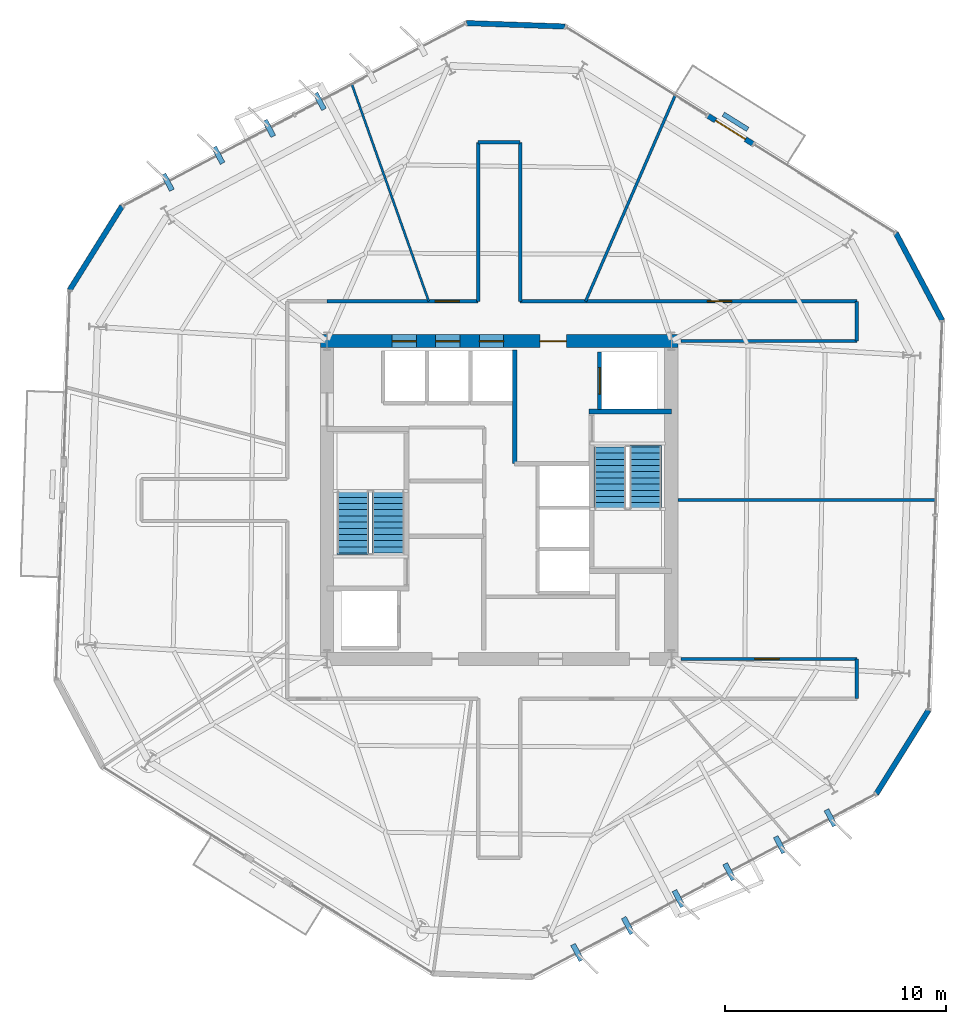
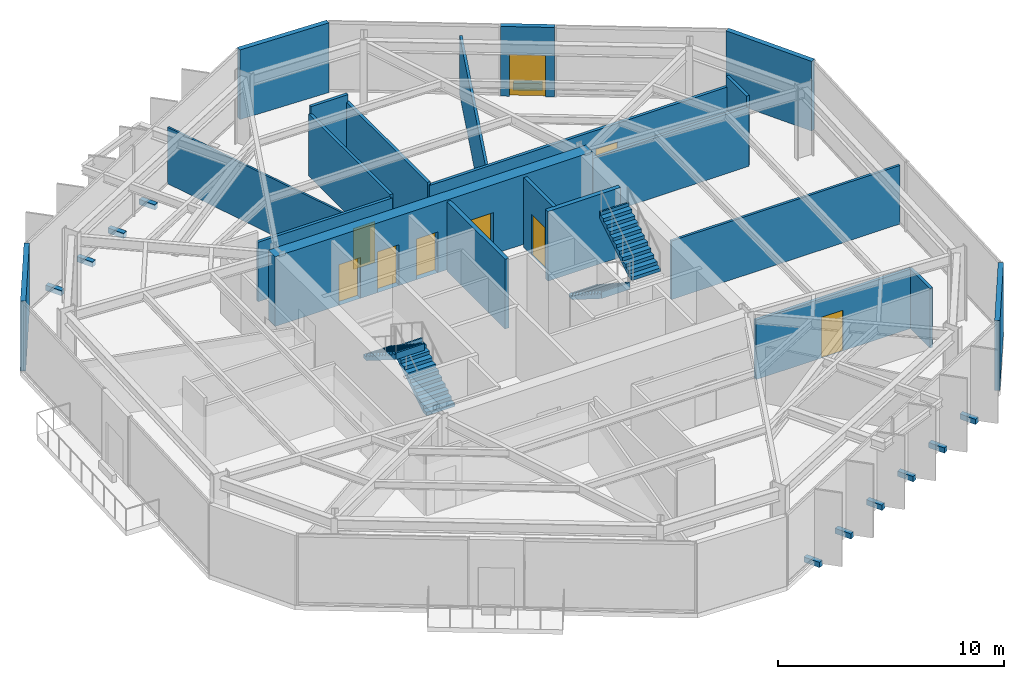
# One storey, part 8 of 12: 22 walls, 10 discrete accessories, 9 doors, 4 stair flights, 9 openings, 2 elements without a shape of their own.
"""IFC4 building model written with IfcOpenShell, lengths in metres."""

from ifc_helpers import new_model, si_unit, direction, frame, frame_2d, origin, origin_2d, place, context, subcontext, project, spatial, polyline, rectangle, outline, extrude, material, layer, layer_set, type_object, element, fill, aggregate, save


model = new_model("IFC4")

# Units and contexts
model_context = context("Model", 3, precision=1e-05, world=origin(), true_north=direction((0.0, 1.0)))
body_context = subcontext(model_context, "Body", "Model", "MODEL_VIEW")
ifc_project = project(units=[si_unit("LENGTHUNIT", "METRE"), si_unit("AREAUNIT", "SQUARE_METRE"), si_unit("VOLUMEUNIT", "CUBIC_METRE"), si_unit("PLANEANGLEUNIT", "RADIAN"), si_unit("MASSUNIT", "GRAM", prefix="KILO")], contexts=[model_context])

# Site, building, storey
site_placement = place(None, origin())
site = spatial("IfcSite", under=ifc_project, at=site_placement, CompositionType="ELEMENT")
building_placement = place(site_placement, origin())
building = spatial("IfcBuilding", under=site, at=building_placement, Name="Kranzbogen Civic Tower", CompositionType="ELEMENT")
storey_placement = place(building_placement, frame((0.0, 0.0, 134.39990234375)))
storey = spatial("IfcBuildingStorey", under=building, at=storey_placement, Name="L32", CompositionType="ELEMENT", Elevation=134.39990234375)

# Wall, opening, door
ifc_material_1 = material(Name="Double-Stud Acoustic Gypsum Partition")
ifc_layer_1 = layer(ifc_material_1, 0.14990234375, Name="Double-Stud Acoustic Gypsum Partition")
ifc_layer_set_1 = layer_set([ifc_layer_1], Name="Double-Stud Acoustic Gypsum Partition")
wall_type_1 = type_object("IfcWallType", Name="Acoustic Corridor and Clinical Partition 150 mm", PredefinedType="PARTITIONING", material=ifc_layer_set_1)
wall_1_placement = place(storey_placement, frame((17.199951171875, 34.0, 0.0), z_axis=(0.0, 0.0, 1.0), x_axis=(1.0, 0.0, 0.0)))
wall_1 = element("IfcWall", 1, at=wall_1_placement, inside=storey, type_object=wall_type_1, Name="L32 corridor partition 10", PredefinedType="PARTITIONING", context=body_context, shape_type="SweptSolid", body=[
    extrude(rectangle(XDim=6.85009765625, YDim=0.14990234375, at=frame_2d((3.425048828125, 0.0))), origin(), (0.0, 0.0, 1.0), 3.210205078125),
])
opening_1_placement = place(wall_1_placement, frame((4.89990234375, 0.0, 0.0)))
opening_1 = element("IfcOpeningElement", 2, at=opening_1_placement, cuts=wall_1, Name="Opening D-COR60", PredefinedType="OPENING", context=body_context, shape_type="SweptSolid", body=[
    extrude(rectangle(XDim=1.10009765625, YDim=2.199951171875, at=frame_2d((0.550048828125, 1.10009765625))), frame((0.0, 0.0849609375, 0.0), z_axis=(0.0, -1.0, 0.0), x_axis=(1.0, 0.0, 0.0)), (0.0, 0.0, 1.0), 0.169921875),
])
ifc_material_2 = material(Name="Oak Timber and Fire Core", Category="wood")
door_type_1 = type_object("IfcDoorType", Name="Corridor Acoustic Fire Door 1100x2200", OperationType="NOTDEFINED", PredefinedType="DOOR", material=ifc_material_2)
door_1_placement = place(opening_1_placement, origin())
door_1 = element("IfcDoor", 3, at=door_1_placement, inside=storey, type_object=door_type_1, Name="L32 Protocol Entrance Reception door", OperationType="SINGLE_SWING_RIGHT", OverallHeight=2.199951171875, OverallWidth=1.10009765625, PredefinedType="DOOR", context=body_context, shape_type="SweptSolid", body=[
    extrude(rectangle(XDim=1.10009765625, YDim=2.199951171875, at=frame_2d((0.550048828125, 1.10009765625))), frame((0.0, 0.02490234375, 0.0), z_axis=(0.0, -1.0, 0.0), x_axis=(1.0, 0.0, 0.0)), (0.0, 0.0, 1.0), 0.050048828125),
])
fill(opening_1, door_1)

# Walls
wall_2_placement = place(storey_placement, frame((24.050048828125, 34.0, 0.0), z_axis=(0.0, 0.0, 1.0), x_axis=(0.0, 1.0, 0.0)))
element("IfcWall", 4, at=wall_2_placement, inside=storey, type_object=wall_type_1, Name="L32 corridor partition 11", PredefinedType="PARTITIONING", context=body_context, shape_type="SweptSolid", body=[
    extrude(rectangle(XDim=7.199951171875, YDim=0.14990234375, at=frame_2d((3.60009765625, 0.0))), origin(), (0.0, 0.0, 1.0), 3.360107421875),
])
wall_3_placement = place(storey_placement, frame((24.050048828125, 41.199951171875, 0.0), z_axis=(0.0, 0.0, 1.0), x_axis=(1.0, 0.0, 0.0)))
element("IfcWall", 5, at=wall_3_placement, inside=storey, type_object=wall_type_1, Name="L32 corridor partition 12", PredefinedType="PARTITIONING", context=body_context, shape_type="SweptSolid", body=[
    extrude(rectangle(XDim=1.89990234375, YDim=0.14990234375, at=frame_2d((0.949951171875, 0.0))), origin(), (0.0, 0.0, 1.0), 3.760009765625),
])
wall_4_placement = place(storey_placement, frame((25.949951171875, 41.199951171875, 0.0), z_axis=(0.0, 0.0, 1.0), x_axis=(0.0, -1.0, 0.0)))
element("IfcWall", 6, at=wall_4_placement, inside=storey, type_object=wall_type_1, Name="L32 corridor partition 13", PredefinedType="PARTITIONING", context=body_context, shape_type="SweptSolid", body=[
    extrude(rectangle(XDim=7.199951171875, YDim=0.14990234375, at=frame_2d((3.60009765625, 0.0))), origin(), (0.0, 0.0, 1.0), 3.360107421875),
])

# Wall, opening, door
wall_5_placement = place(storey_placement, frame((25.949951171875, 34.0, 0.0), z_axis=(0.0, 0.0, 1.0), x_axis=(1.0, 0.0, 0.0)))
wall_5 = element("IfcWall", 7, at=wall_5_placement, inside=storey, type_object=wall_type_1, Name="L32 corridor partition 14", PredefinedType="PARTITIONING", context=body_context, shape_type="SweptSolid", body=[
    extrude(rectangle(XDim=15.25, YDim=0.14990234375, at=frame_2d((7.625, 0.0))), origin(), (0.0, 0.0, 1.0), 3.210205078125),
])
opening_2_placement = place(wall_5_placement, frame((8.47998046875, 0.0, 0.0)))
opening_2 = element("IfcOpeningElement", 8, at=opening_2_placement, cuts=wall_5, Name="Opening D-COR60", PredefinedType="OPENING", context=body_context, shape_type="SweptSolid", body=[
    extrude(rectangle(XDim=1.10009765625, YDim=2.199951171875, at=frame_2d((0.550048828125, 1.10009765625))), frame((0.0, 0.0849609375, 0.0), z_axis=(0.0, -1.0, 0.0), x_axis=(1.0, 0.0, 0.0)), (0.0, 0.0, 1.0), 0.169921875),
])
door_2_placement = place(opening_2_placement, origin())
door_2 = element("IfcDoor", 9, at=door_2_placement, inside=storey, type_object=door_type_1, Name="L32 Public Delegation Reception door", OperationType="SINGLE_SWING_RIGHT", OverallHeight=2.199951171875, OverallWidth=1.10009765625, PredefinedType="DOOR", context=body_context, shape_type="SweptSolid", body=[
    extrude(rectangle(XDim=1.10009765625, YDim=2.199951171875, at=frame_2d((0.550048828125, 1.10009765625))), frame((0.0, 0.02490234375, 0.0), z_axis=(0.0, -1.0, 0.0), x_axis=(1.0, 0.0, 0.0)), (0.0, 0.0, 1.0), 0.050048828125),
])
fill(opening_2, door_2)

# Walls
wall_6_placement = place(storey_placement, frame((41.199951171875, 34.0, 0.0), z_axis=(0.0, 0.0, 1.0), x_axis=(0.0, -1.0, 0.0)))
element("IfcWall", 10, at=wall_6_placement, inside=storey, type_object=wall_type_1, Name="L32 corridor partition 15", PredefinedType="PARTITIONING", context=body_context, shape_type="SweptSolid", body=[
    extrude(rectangle(XDim=1.800048828125, YDim=0.14990234375, at=frame_2d((0.89990234375, 0.0))), origin(), (0.0, 0.0, 1.0), 3.760009765625),
])
wall_7_placement = place(storey_placement, frame((41.199951171875, 32.199951171875, 0.0), z_axis=(0.0, 0.0, 1.0), x_axis=(-1.0, 0.0, 0.0)))
element("IfcWall", 11, at=wall_7_placement, inside=storey, type_object=wall_type_1, Name="L32 corridor partition 16", PredefinedType="PARTITIONING", context=body_context, shape_type="SweptSolid", body=[
    extrude(rectangle(XDim=7.952880859375, YDim=0.14990234375, at=frame_2d((3.9765625, 0.0))), origin(), (0.0, 0.0, 1.0), 3.210205078125),
])

# Wall, opening, door
wall_8_placement = place(storey_placement, frame((33.2470703125, 17.800048828125, 0.0), z_axis=(0.0, 0.0, 1.0), x_axis=(1.0, 0.0, 0.0)))
wall_8 = element("IfcWall", 12, at=wall_8_placement, inside=storey, type_object=wall_type_1, Name="L32 corridor partition 17", PredefinedType="PARTITIONING", context=body_context, shape_type="SweptSolid", body=[
    extrude(rectangle(XDim=7.952880859375, YDim=0.14990234375, at=frame_2d((3.9765625, 0.0))), origin(), (0.0, 0.0, 1.0), 3.210205078125),
])
opening_3_placement = place(wall_8_placement, frame((3.337890625, 0.0, 0.0)))
opening_3 = element("IfcOpeningElement", 13, at=opening_3_placement, cuts=wall_8, Name="Opening D-COR60", PredefinedType="OPENING", context=body_context, shape_type="SweptSolid", body=[
    extrude(rectangle(XDim=1.10009765625, YDim=2.199951171875, at=frame_2d((0.550048828125, 1.10009765625))), frame((0.0, 0.0849609375, 0.0), z_axis=(0.0, -1.0, 0.0), x_axis=(1.0, 0.0, 0.0)), (0.0, 0.0, 1.0), 0.169921875),
])
door_3_placement = place(opening_3_placement, origin())
door_3 = element("IfcDoor", 14, at=door_3_placement, inside=storey, type_object=door_type_1, Name="L32 Visitor Concierge Foyer door", OperationType="SINGLE_SWING_LEFT", OverallHeight=2.199951171875, OverallWidth=1.10009765625, PredefinedType="DOOR", context=body_context, shape_type="SweptSolid", body=[
    extrude(rectangle(XDim=1.10009765625, YDim=2.199951171875, at=frame_2d((0.550048828125, 1.10009765625))), frame((0.0, 0.02490234375, 0.0), z_axis=(0.0, -1.0, 0.0), x_axis=(1.0, 0.0, 0.0)), (0.0, 0.0, 1.0), 0.050048828125),
])
fill(opening_3, door_3)

# Walls
wall_9_placement = place(storey_placement, frame((41.199951171875, 17.800048828125, 0.0), z_axis=(0.0, 0.0, 1.0), x_axis=(0.0, -1.0, 0.0)))
element("IfcWall", 15, at=wall_9_placement, inside=storey, type_object=wall_type_1, Name="L32 corridor partition 18", PredefinedType="PARTITIONING", context=body_context, shape_type="SweptSolid", body=[
    extrude(rectangle(XDim=1.800048828125, YDim=0.14990234375, at=frame_2d((0.89990234375, 0.0))), origin(), (0.0, 0.0, 1.0), 3.210205078125),
])
ifc_material_3 = material(Name="Insulated Metal-Stud Gypsum Partition")
ifc_layer_2 = layer(ifc_material_3, 0.125, Name="Insulated Metal-Stud Gypsum Partition")
ifc_layer_set_2 = layer_set([ifc_layer_2], Name="Insulated Metal-Stud Gypsum Partition")
wall_type_2 = type_object("IfcWallType", Name="Acoustic Inter-Room Partition 125 mm", PredefinedType="PARTITIONING", material=ifc_layer_set_2)
wall_10_placement = place(storey_placement, frame((28.916015625, 34.0, 0.0), z_axis=(0.0, 0.0, 1.0), x_axis=(0.398858798929, 0.917012354615, 0.0)))
element("IfcWall", 16, at=wall_10_placement, inside=storey, type_object=wall_type_2, Name="L32 radial room partition 01", PredefinedType="PARTITIONING", context=body_context, shape_type="SweptSolid", body=[
    extrude(rectangle(XDim=10.158935546875, YDim=0.125, at=frame_2d((5.07958984375, 0.0))), origin(), (0.0, 0.0, 1.0), 3.16015625),
])
wall_11_placement = place(storey_placement, frame((33.10009765625, 25.0, 0.0), z_axis=(0.0, 0.0, 1.0), x_axis=(1.0, 0.0, 0.0)))
element("IfcWall", 17, at=wall_11_placement, inside=storey, type_object=wall_type_2, Name="L32 radial room partition 07", PredefinedType="PARTITIONING", context=body_context, shape_type="SweptSolid", body=[
    extrude(rectangle(XDim=11.6669921875, YDim=0.125, at=frame_2d((5.83349609375, 0.0))), origin(), (0.0, 0.0, 1.0), 3.16015625),
])
ifc_material_4 = material(Name="Architectural Precast Terracotta Concrete C40/50", Category="masonry")
ifc_layer_3 = layer(ifc_material_4, 0.219970703125, Name="Architectural Precast Terracotta Concrete C40/50")
ifc_layer_set_3 = layer_set([ifc_layer_3], Name="Architectural Precast Terracotta Concrete C40/50")
wall_type_3 = type_object("IfcWallType", Name="Architectural Tree Planter Kerb Wall 220 mm", PredefinedType="USERDEFINED", material=ifc_layer_set_3)
wall_12_placement = place(storey_placement, frame((36.258056640625, 41.7900390625, 0.0), z_axis=(0.0, 0.0, 1.0), x_axis=(-0.848272680747, 0.52955968417, 0.0)))
element("IfcWall", 18, at=wall_12_placement, inside=storey, type_object=wall_type_3, Name="L32 landscaped tree balcony planter L32-TB1", ObjectType="PLANTER_WALL", PredefinedType="USERDEFINED", context=body_context, shape_type="SweptSolid", body=[
    extrude(rectangle(XDim=1.299072265625, YDim=0.219970703125, at=frame_2d((0.6494140625, 0.0))), origin(), (0.0, 0.0, 1.0), 0.400146484375),
])

# Wall, openings, doors
ifc_material_5 = material(Name="Concrete C55/67", Category="concrete")
ifc_layer_4 = layer(ifc_material_5, 0.60009765625, Name="Concrete C55/67")
ifc_layer_set_4 = layer_set([ifc_layer_4], Name="Concrete C55/67")
wall_type_4 = type_object("IfcWallType", Name="Central Core Shear Wall 600 mm", PredefinedType="SHEAR", material=ifc_layer_set_4)
wall_13_placement = place(storey_placement, frame((33.10009765625, 32.199951171875, 0.0), z_axis=(0.0, 0.0, 1.0), x_axis=(-1.0, 0.0, 0.0)))
wall_13 = element("IfcWall", 19, at=wall_13_placement, inside=storey, type_object=wall_type_4, Name="L32 central core North shear wall", PredefinedType="SHEAR", context=body_context, shape_type="SweptSolid", body=[
    extrude(rectangle(XDim=16.2001953125, YDim=0.60009765625, at=frame_2d((8.10009765625, 0.0))), origin(), (0.0, 0.0, 1.0), 3.760009765625),
])
opening_4_placement = place(wall_13_placement, frame((5.050048828125, 0.0, 0.0)))
opening_4 = element("IfcOpeningElement", 20, at=opening_4_placement, cuts=wall_13, Name="Opening D-EX120", PredefinedType="OPENING", context=body_context, shape_type="SweptSolid", body=[
    extrude(rectangle(XDim=1.199951171875, YDim=2.25, at=frame_2d((0.60009765625, 1.125))), frame((0.0, 0.31005859375, 0.0), z_axis=(0.0, -1.0, 0.0), x_axis=(1.0, 0.0, 0.0)), (0.0, 0.0, 1.0), 0.6201171875),
])
opening_5_placement = place(wall_13_placement, frame((11.85009765625, 0.0, 0.0)))
opening_5 = element("IfcOpeningElement", 21, at=opening_5_placement, cuts=wall_13, Name="Opening LD-MP-01", PredefinedType="OPENING", context=body_context, shape_type="SweptSolid", body=[
    extrude(rectangle(XDim=1.10009765625, YDim=2.199951171875, at=frame_2d((0.550048828125, 1.10009765625))), frame((0.0, 0.31005859375, 0.0), z_axis=(0.0, -1.0, 0.0), x_axis=(1.0, 0.0, 0.0)), (0.0, 0.0, 1.0), 0.6201171875),
])
opening_6_placement = place(wall_13_placement, frame((9.875, 0.0, 0.0)))
opening_6 = element("IfcOpeningElement", 22, at=opening_6_placement, cuts=wall_13, Name="Opening LD-MP-02", PredefinedType="OPENING", context=body_context, shape_type="SweptSolid", body=[
    extrude(rectangle(XDim=1.10009765625, YDim=2.199951171875, at=frame_2d((0.550048828125, 1.10009765625))), frame((0.0, 0.31005859375, 0.0), z_axis=(0.0, -1.0, 0.0), x_axis=(1.0, 0.0, 0.0)), (0.0, 0.0, 1.0), 0.6201171875),
])
opening_7_placement = place(wall_13_placement, frame((7.89990234375, 0.0, 0.0)))
opening_7 = element("IfcOpeningElement", 23, at=opening_7_placement, cuts=wall_13, Name="Opening LD-MP-03", PredefinedType="OPENING", context=body_context, shape_type="SweptSolid", body=[
    extrude(rectangle(XDim=1.10009765625, YDim=2.199951171875, at=frame_2d((0.550048828125, 1.10009765625))), frame((0.0, 0.31005859375, 0.0), z_axis=(0.0, -1.0, 0.0), x_axis=(1.0, 0.0, 0.0)), (0.0, 0.0, 1.0), 0.6201171875),
])
ifc_material_6 = material(Name="Steel S355", Category="steel")
door_type_2 = type_object("IfcDoorType", Name="Exit Passageway Fire Door 1200x2250", OperationType="NOTDEFINED", PredefinedType="DOOR", material=ifc_material_6)
door_4_placement = place(opening_4_placement, origin())
door_4 = element("IfcDoor", 24, at=door_4_placement, inside=storey, type_object=door_type_2, Name="L32 East firefighting lobby corridor door", OperationType="SINGLE_SWING_RIGHT", OverallHeight=2.25, OverallWidth=1.199951171875, PredefinedType="DOOR", context=body_context, shape_type="SweptSolid", body=[
    extrude(rectangle(XDim=1.199951171875, YDim=2.25, at=frame_2d((0.60009765625, 1.125))), frame((0.0, 0.02490234375, 0.0), z_axis=(0.0, -1.0, 0.0), x_axis=(1.0, 0.0, 0.0)), (0.0, 0.0, 1.0), 0.050048828125),
])
fill(opening_4, door_4)
ifc_material_7 = material(Name="Pale Anodised Aluminium", Category="aluminium")
door_type_3 = type_object("IfcDoorType", Name="Passenger Lift Sliding Landing Door 1100x2200", OperationType="DOUBLE_DOOR_SLIDING", PredefinedType="DOOR", material=ifc_material_7)
door_5_placement = place(opening_5_placement, origin())
door_5 = element("IfcDoor", 25, at=door_5_placement, inside=storey, type_object=door_type_3, Name="L32 lift MP-01 sliding landing door", OperationType="DOUBLE_DOOR_SLIDING", OverallHeight=2.199951171875, OverallWidth=1.10009765625, PredefinedType="DOOR", context=body_context, shape_type="SweptSolid", body=[
    extrude(rectangle(XDim=1.10009765625, YDim=2.199951171875, at=frame_2d((0.550048828125, 1.10009765625))), frame((0.0, 0.02490234375, 0.0), z_axis=(0.0, -1.0, 0.0), x_axis=(1.0, 0.0, 0.0)), (0.0, 0.0, 1.0), 0.050048828125),
])
fill(opening_5, door_5)
door_6_placement = place(opening_6_placement, origin())
door_6 = element("IfcDoor", 26, at=door_6_placement, inside=storey, type_object=door_type_3, Name="L32 lift MP-02 sliding landing door", OperationType="DOUBLE_DOOR_SLIDING", OverallHeight=2.199951171875, OverallWidth=1.10009765625, PredefinedType="DOOR", context=body_context, shape_type="SweptSolid", body=[
    extrude(rectangle(XDim=1.10009765625, YDim=2.199951171875, at=frame_2d((0.550048828125, 1.10009765625))), frame((0.0, 0.02490234375, 0.0), z_axis=(0.0, -1.0, 0.0), x_axis=(1.0, 0.0, 0.0)), (0.0, 0.0, 1.0), 0.050048828125),
])
fill(opening_6, door_6)
door_7_placement = place(opening_7_placement, origin())
door_7 = element("IfcDoor", 27, at=door_7_placement, inside=storey, type_object=door_type_3, Name="L32 lift MP-03 sliding landing door", OperationType="DOUBLE_DOOR_SLIDING", OverallHeight=2.199951171875, OverallWidth=1.10009765625, PredefinedType="DOOR", context=body_context, shape_type="SweptSolid", body=[
    extrude(rectangle(XDim=1.10009765625, YDim=2.199951171875, at=frame_2d((0.550048828125, 1.10009765625))), frame((0.0, 0.02490234375, 0.0), z_axis=(0.0, -1.0, 0.0), x_axis=(1.0, 0.0, 0.0)), (0.0, 0.0, 1.0), 0.050048828125),
])
fill(opening_7, door_7)

# Walls
ifc_material_8 = material(Name="Concrete C45/55", Category="concrete")
ifc_layer_5 = layer(ifc_material_8, 0.219970703125, Name="Concrete C45/55")
ifc_layer_set_5 = layer_set([ifc_layer_5], Name="Concrete C45/55")
wall_type_5 = type_object("IfcWallType", Name="Core Internal Stair Structural Wall 220 mm", PredefinedType="SOLIDWALL", material=ifc_layer_set_5)
wall_14_placement = place(storey_placement, frame((29.080078125, 29.010009765625, 0.0), z_axis=(0.0, 0.0, 1.0), x_axis=(1.0, 0.0, 0.0)))
element("IfcWall", 28, at=wall_14_placement, inside=storey, type_object=wall_type_5, Name="L32 ST-T2 North structural stair wall", PredefinedType="SOLIDWALL", context=body_context, shape_type="SweptSolid", body=[
    extrude(rectangle(XDim=3.719970703125, YDim=0.219970703125, at=frame_2d((1.85986328125, 0.0))), origin(), (0.0, 0.0, 1.0), 3.760009765625),
])
ifc_material_9 = material(Name="Demountable Aluminium and Gypsum Partition", Category="aluminium")
ifc_layer_6 = layer(ifc_material_9, 0.10009765625, Name="Demountable Aluminium and Gypsum Partition")
ifc_layer_set_6 = layer_set([ifc_layer_6], Name="Demountable Aluminium and Gypsum Partition")
wall_type_6 = type_object("IfcWallType", Name="Demountable Office Partition 100 mm", PredefinedType="MOVABLE", material=ifc_layer_set_6)
wall_15_placement = place(storey_placement, frame((21.81103515625, 34.0, 0.0), z_axis=(0.0, 0.0, 1.0), x_axis=(-0.333981087617, 0.942579775464, 0.0)))
element("IfcWall", 29, at=wall_15_placement, inside=storey, type_object=wall_type_6, Name="L32 radial room partition 02", PredefinedType="MOVABLE", context=body_context, shape_type="SweptSolid", body=[
    extrude(rectangle(XDim=10.425537109375, YDim=0.10009765625, at=frame_2d((5.212890625, 0.0))), origin(), (0.0, 0.0, 1.0), 3.050048828125),
])
ifc_material_10 = material(Name="Gypsum Fireboard and Concrete Block", Category="concrete")
ifc_layer_7 = layer(ifc_material_10, 0.199951171875, Name="Gypsum Fireboard and Concrete Block")
ifc_layer_set_7 = layer_set([ifc_layer_7], Name="Gypsum Fireboard and Concrete Block")
wall_type_7 = type_object("IfcWallType", Name="Fire-Rated Exit Passageway and Stair Wall 200 mm", PredefinedType="PARTITIONING", material=ifc_layer_set_7)
wall_16_placement = place(storey_placement, frame((25.699951171875, 26.64990234375, 0.0), z_axis=(0.0, 0.0, 1.0), x_axis=(0.0, 1.0, 0.0)))
element("IfcWall", 30, at=wall_16_placement, inside=storey, type_object=wall_type_7, Name="L32 East firefighting lobby West wall", PredefinedType="PARTITIONING", context=body_context, shape_type="SweptSolid", body=[
    extrude(rectangle(XDim=5.150146484375, YDim=0.199951171875, at=frame_2d((2.5751953125, 0.0))), origin(), (0.0, 0.0, 1.0), 3.760009765625),
])

# Wall, opening, door
ifc_material_11 = material(Name="Gypsum Fireboard Shaftliner")
ifc_layer_8 = layer(ifc_material_11, 0.175048828125, Name="Gypsum Fireboard Shaftliner")
ifc_layer_set_8 = layer_set([ifc_layer_8], Name="Gypsum Fireboard Shaftliner")
wall_type_8 = type_object("IfcWallType", Name="Fire-Rated Lift and Service Shaft Wall 175 mm", PredefinedType="PARTITIONING", material=ifc_layer_set_8)
wall_17_placement = place(storey_placement, frame((29.550048828125, 29.10009765625, 0.0), z_axis=(0.0, 0.0, 1.0), x_axis=(0.0, 1.0, 0.0)))
wall_17 = element("IfcWall", 31, at=wall_17_placement, inside=storey, type_object=wall_type_8, Name="L32 lift FF-02 landing wall", PredefinedType="PARTITIONING", context=body_context, shape_type="SweptSolid", body=[
    extrude(rectangle(XDim=2.599853515625, YDim=0.175048828125, at=frame_2d((1.2998046875, 0.0))), origin(), (0.0, 0.0, 1.0), 3.760009765625),
])
opening_8_placement = place(wall_17_placement, frame((0.699951171875, 0.0, 0.0)))
opening_8 = element("IfcOpeningElement", 32, at=opening_8_placement, cuts=wall_17, Name="Opening LD-FF-02", PredefinedType="OPENING", context=body_context, shape_type="SweptSolid", body=[
    extrude(rectangle(XDim=1.199951171875, YDim=2.199951171875, at=frame_2d((0.60009765625, 1.10009765625))), frame((0.0, 0.09765625, 0.0), z_axis=(0.0, -1.0, 0.0), x_axis=(1.0, 0.0, 0.0)), (0.0, 0.0, 1.0), 0.195068359375),
])
door_type_4 = type_object("IfcDoorType", Name="Firefighting and Stretcher Lift Sliding Landing Door 1200x2200", OperationType="DOUBLE_DOOR_SLIDING", PredefinedType="DOOR", material=ifc_material_7)
door_8_placement = place(opening_8_placement, origin())
door_8 = element("IfcDoor", 33, at=door_8_placement, inside=storey, type_object=door_type_4, Name="L32 lift FF-02 sliding landing door", OperationType="DOUBLE_DOOR_SLIDING", OverallHeight=2.199951171875, OverallWidth=1.199951171875, PredefinedType="DOOR", context=body_context, shape_type="SweptSolid", body=[
    extrude(rectangle(XDim=1.199951171875, YDim=2.199951171875, at=frame_2d((0.60009765625, 1.10009765625))), frame((0.0, 0.02490234375, 0.0), z_axis=(0.0, -1.0, 0.0), x_axis=(1.0, 0.0, 0.0)), (0.0, 0.0, 1.0), 0.050048828125),
])
fill(opening_8, door_8)

ifc_layer_9 = layer(ifc_material_7, 0.239990234375, Name="Pale Anodised Aluminium")
ifc_layer_set_9 = layer_set([ifc_layer_9], Name="Pale Anodised Aluminium")
wall_type_9 = type_object("IfcWallType", Name="Insulated Aluminium Facade Portal Wall 240 mm", PredefinedType="STANDARD", material=ifc_layer_set_9)
wall_18_placement = place(storey_placement, frame((36.49609375, 41.132080078125, 0.0), z_axis=(0.0, 0.0, 1.0), x_axis=(-0.847998304005, 0.529998940003, 0.0)))
wall_18 = element("IfcWall", 34, at=wall_18_placement, inside=storey, type_object=wall_type_9, Name="L32 exterior entrance portal wall 1", PredefinedType="STANDARD", context=body_context, shape_type="SweptSolid", body=[
    extrude(rectangle(XDim=2.39990234375, YDim=0.239990234375, at=frame_2d((1.199951171875, 0.0))), origin(), (0.0, 0.0, 1.0), 3.760009765625),
])
opening_9_placement = place(wall_18_placement, frame((0.39990234375, 0.0, 0.0)))
opening_9 = element("IfcOpeningElement", 35, at=opening_9_placement, cuts=wall_18, Name="Opening D-TER", PredefinedType="OPENING", context=body_context, shape_type="SweptSolid", body=[
    extrude(rectangle(XDim=1.60009765625, YDim=2.25, at=frame_2d((0.800048828125, 1.125))), frame((0.0, 0.1298828125, 0.0), z_axis=(0.0, -1.0, 0.0), x_axis=(1.0, 0.0, 0.0)), (0.0, 0.0, 1.0), 0.260009765625),
])
ifc_material_12 = material(Name="Anodised Bronze and Triple Glass", Category="glass")
door_type_5 = type_object("IfcDoorType", Name="Glazed Terrace and Balcony Double Door 1600x2250", OperationType="DOUBLE_DOOR_SINGLE_SWING", PredefinedType="DOOR", material=ifc_material_12)
door_9_placement = place(opening_9_placement, frame((1.60009765625, 0.0, 0.0), z_axis=(0.0, 0.0, 1.0), x_axis=(-1.0, 0.0, 0.0)))
door_9 = element("IfcDoor", 36, at=door_9_placement, inside=storey, type_object=door_type_5, Name="L32 tree balcony access door L32-TB1", OperationType="DOUBLE_DOOR_SINGLE_SWING", OverallHeight=2.25, OverallWidth=1.60009765625, PredefinedType="DOOR", context=body_context, shape_type="SweptSolid", body=[
    extrude(rectangle(XDim=1.60009765625, YDim=2.25, at=frame_2d((0.800048828125, 1.125))), frame((0.0, 0.02490234375, 0.0), z_axis=(0.0, -1.0, 0.0), x_axis=(1.0, 0.0, 0.0)), (0.0, 0.0, 1.0), 0.050048828125),
])
fill(opening_9, door_9)

# Walls
wall_19_placement = place(storey_placement, frame((27.986083984375, 46.448974609375, 0.0), z_axis=(0.0, 0.0, 1.0), x_axis=(-0.999390988908, 0.034894860495, 0.0)))
element("IfcWall", 37, at=wall_19_placement, inside=storey, type_object=wall_type_9, Name="L32 chamfered corner facade spandrel 1", PredefinedType="STANDARD", context=body_context, shape_type="SweptSolid", body=[
    extrude(rectangle(XDim=4.470703125, YDim=0.239990234375, at=frame_2d((2.2353515625, 0.0))), origin(), (0.0, 0.0, 1.0), 3.760009765625),
])
for number, where, z_axis, x_axis, name in (
    (38, (7.9169921875, 38.31005859375, 0.0), (0.0, 0.0, 1.0), (-0.529822232534, -0.848108720573, 0.0), "L32 chamfered corner facade spandrel 2"),
    (39, (42.0830078125, 11.68994140625, 0.0), (0.0, 0.0, 1.0), (0.529822232534, 0.848108720573, 0.0), "L32 chamfered corner facade spandrel 5"),
):
    element("IfcWall", number, at=place(storey_placement, frame(where, z_axis=z_axis, x_axis=x_axis)), inside=storey, type_object=wall_type_9, Name=name, PredefinedType="STANDARD", context=body_context, shape_type="SweptSolid", body=[
        extrude(rectangle(XDim=4.47119140625, YDim=0.239990234375, at=frame_2d((2.235595703125, 0.0))), origin(), (0.0, 0.0, 1.0), 3.760009765625),
    ])
wall_20_placement = place(storey_placement, frame((45.068115234375, 33.137939453125, 0.0), z_axis=(0.0, 0.0, 1.0), x_axis=(-0.46919913514, 0.883092391307, 0.0)))
element("IfcWall", 40, at=wall_20_placement, inside=storey, type_object=wall_type_9, Name="L32 chamfered corner facade spandrel 6", PredefinedType="STANDARD", context=body_context, shape_type="SweptSolid", body=[
    extrude(rectangle(XDim=4.4716796875, YDim=0.239990234375, at=frame_2d((2.23583984375, 0.0))), origin(), (0.0, 0.0, 1.0), 3.760009765625),
])

# Stair, stair flights
ifc_material_13 = material(Name="Precast concrete C40/50", Category="concrete")
stair_type_1 = type_object("IfcStairType", Name="Tower Core Pressurized Dogleg Stair 1450", PredefinedType="HALF_TURN_STAIR", material=ifc_material_13)
stair_1_placement = place(storey_placement, origin())
stair_1 = element("IfcStair", 41, at=stair_1_placement, inside=storey, type_object=stair_type_1, Name="L32 Tower Core Pressurized Stair 1", PredefinedType="HALF_TURN_STAIR")
stair_flight_type = type_object("IfcStairFlightType", Name="Precast Concrete Stair Flight R180", PredefinedType="STRAIGHT", material=ifc_material_13)
stair_flight_1_placement = place(storey_placement, frame((19.97509765625, 22.60009765625, 0.0), z_axis=(0.0, 0.0, 1.0), x_axis=(0.0, 1.0, 0.0)))
stair_flight_1 = element("IfcStairFlight", 42, at=stair_flight_1_placement, type_object=stair_flight_type, Name="ST-T1 flight 1", NumberOfRisers=11, NumberOfTreads=10, PredefinedType="STRAIGHT", RiserHeight=0.181818182, TreadLength=0.28, context=body_context, shape_type="SweptSolid", body=[
    extrude(outline(polyline([(0.0, 0.0), (0.0, 0.181884765625), (0.280029296875, 0.181884765625), (0.280029296875, 0.363525390625), (0.56005859375, 0.363525390625), (0.56005859375, 0.54541015625), (0.840087890625, 0.54541015625), (0.840087890625, 0.727294921875), (1.1201171875, 0.727294921875), (1.1201171875, 0.9091796875), (1.39990234375, 0.9091796875), (1.39990234375, 1.0908203125), (1.679931640625, 1.0908203125), (1.679931640625, 1.272705078125), (1.9599609375, 1.272705078125), (1.9599609375, 1.45458984375), (2.239990234375, 1.45458984375), (2.239990234375, 1.636474609375), (2.52001953125, 1.636474609375), (2.52001953125, 1.818115234375), (2.800048828125, 1.818115234375), (2.800048828125, 2.0), (2.880126953125, 2.0), (2.880126953125, 1.639404296875), (0.275146484375, 0.0), (0.0, 0.0)])), frame((0.0, 0.72509765625, 0.0), z_axis=(0.0, -1.0, 0.0), x_axis=(1.0, 0.0, 0.0)), (0.0, 0.0, 1.0), 1.449951171875),
])
stair_flight_2_placement = place(storey_placement, frame((18.375, 25.39990234375, 2.0), z_axis=(0.0, 0.0, 1.0), x_axis=(0.0, -1.0, 0.0)))
stair_flight_2 = element("IfcStairFlight", 43, at=stair_flight_2_placement, type_object=stair_flight_type, Name="ST-T1 flight 2", NumberOfRisers=11, NumberOfTreads=10, PredefinedType="STRAIGHT", RiserHeight=0.181818182, TreadLength=0.28, context=body_context, shape_type="SweptSolid", body=[
    extrude(outline(polyline([(0.0, 0.0), (0.0, 0.181884765625), (0.280029296875, 0.181884765625), (0.280029296875, 0.363525390625), (0.56005859375, 0.363525390625), (0.56005859375, 0.54541015625), (0.840087890625, 0.54541015625), (0.840087890625, 0.727294921875), (1.1201171875, 0.727294921875), (1.1201171875, 0.9091796875), (1.39990234375, 0.9091796875), (1.39990234375, 1.0908203125), (1.679931640625, 1.0908203125), (1.679931640625, 1.272705078125), (1.9599609375, 1.272705078125), (1.9599609375, 1.45458984375), (2.239990234375, 1.45458984375), (2.239990234375, 1.636474609375), (2.52001953125, 1.636474609375), (2.52001953125, 1.818115234375), (2.800048828125, 1.818115234375), (2.800048828125, 2.0), (2.880126953125, 2.0), (2.880126953125, 1.639404296875), (0.275146484375, 0.0), (0.0, 0.0)])), frame((0.0, 0.72509765625, 0.0), z_axis=(0.0, -1.0, 0.0), x_axis=(1.0, 0.0, 0.0)), (0.0, 0.0, 1.0), 1.449951171875),
])
aggregate(stair_1, [stair_flight_1, stair_flight_2])

stair_type_2 = type_object("IfcStairType", Name="Tower Core Secondary Dogleg Stair 1450", PredefinedType="HALF_TURN_STAIR", material=ifc_material_13)
stair_2_placement = place(storey_placement, origin())
stair_2 = element("IfcStair", 44, at=stair_2_placement, inside=storey, type_object=stair_type_2, Name="L32 Tower Core Pressurized Stair 2", PredefinedType="HALF_TURN_STAIR")
stair_flight_3_placement = place(storey_placement, frame((30.02490234375, 27.39990234375, 0.0), z_axis=(0.0, 0.0, 1.0), x_axis=(0.0, -1.0, 0.0)))
stair_flight_3 = element("IfcStairFlight", 45, at=stair_flight_3_placement, type_object=stair_flight_type, Name="ST-T2 flight 1", NumberOfRisers=11, NumberOfTreads=10, PredefinedType="STRAIGHT", RiserHeight=0.181818182, TreadLength=0.28, context=body_context, shape_type="SweptSolid", body=[
    extrude(outline(polyline([(0.0, 0.0), (0.0, 0.181884765625), (0.280029296875, 0.181884765625), (0.280029296875, 0.363525390625), (0.56005859375, 0.363525390625), (0.56005859375, 0.54541015625), (0.840087890625, 0.54541015625), (0.840087890625, 0.727294921875), (1.1201171875, 0.727294921875), (1.1201171875, 0.9091796875), (1.39990234375, 0.9091796875), (1.39990234375, 1.0908203125), (1.679931640625, 1.0908203125), (1.679931640625, 1.272705078125), (1.9599609375, 1.272705078125), (1.9599609375, 1.45458984375), (2.239990234375, 1.45458984375), (2.239990234375, 1.636474609375), (2.52001953125, 1.636474609375), (2.52001953125, 1.818115234375), (2.800048828125, 1.818115234375), (2.800048828125, 2.0), (2.880126953125, 2.0), (2.880126953125, 1.639404296875), (0.275146484375, 0.0), (0.0, 0.0)])), frame((0.0, 0.72509765625, 0.0), z_axis=(0.0, -1.0, 0.0), x_axis=(1.0, 0.0, 0.0)), (0.0, 0.0, 1.0), 1.449951171875),
])
stair_flight_4_placement = place(storey_placement, frame((31.625, 24.60009765625, 2.0), z_axis=(0.0, 0.0, 1.0), x_axis=(0.0, 1.0, 0.0)))
stair_flight_4 = element("IfcStairFlight", 46, at=stair_flight_4_placement, type_object=stair_flight_type, Name="ST-T2 flight 2", NumberOfRisers=11, NumberOfTreads=10, PredefinedType="STRAIGHT", RiserHeight=0.181818182, TreadLength=0.28, context=body_context, shape_type="SweptSolid", body=[
    extrude(outline(polyline([(0.0, 0.0), (0.0, 0.181884765625), (0.280029296875, 0.181884765625), (0.280029296875, 0.363525390625), (0.56005859375, 0.363525390625), (0.56005859375, 0.54541015625), (0.840087890625, 0.54541015625), (0.840087890625, 0.727294921875), (1.1201171875, 0.727294921875), (1.1201171875, 0.9091796875), (1.39990234375, 0.9091796875), (1.39990234375, 1.0908203125), (1.679931640625, 1.0908203125), (1.679931640625, 1.272705078125), (1.9599609375, 1.272705078125), (1.9599609375, 1.45458984375), (2.239990234375, 1.45458984375), (2.239990234375, 1.636474609375), (2.52001953125, 1.636474609375), (2.52001953125, 1.818115234375), (2.800048828125, 1.818115234375), (2.800048828125, 2.0), (2.880126953125, 2.0), (2.880126953125, 1.639404296875), (0.275146484375, 0.0), (0.0, 0.0)])), frame((0.0, 0.72509765625, 0.0), z_axis=(0.0, -1.0, 0.0), x_axis=(1.0, 0.0, 0.0)), (0.0, 0.0, 1.0), 1.449951171875),
])
aggregate(stair_2, [stair_flight_3, stair_flight_4])

# Discrete accessories
discrete_accessory_type = type_object("IfcDiscreteAccessoryType", Name="Structural Curtain-Wall Fin Support Bracket", PredefinedType="BRACKET", material=ifc_material_6)
for number, where, z_axis, x_axis, name in (
    (47, (16.87109375, 43.056884765625, -0.25), (0.0, 0.0, 1.0), (-0.469471562786, 0.882947592859, 0.0), "L32 facade fin support bracket F2-3"),
    (48, (14.574951171875, 41.8369140625, -0.25), (0.0, 0.0, 1.0), (-0.469471562786, 0.882947592859, 0.0), "L32 facade fin support bracket F2-4"),
    (49, (12.280029296875, 40.615966796875, -0.25), (0.0, 0.0, 1.0), (-0.469471562786, 0.882947592859, 0.0), "L32 facade fin support bracket F2-5"),
    (50, (9.98388671875, 39.39501953125, -0.25), (0.0, 0.0, 1.0), (-0.469471562786, 0.882947592859, 0.0), "L32 facade fin support bracket F2-6"),
    (51, (28.5380859375, 4.5009765625, -0.25), (0.0, 0.0, 1.0), (0.469471562786, -0.882947592859, 0.0), "L32 facade fin support bracket F5-1"),
    (52, (30.8330078125, 5.721923828125, -0.25), (0.0, 0.0, 1.0), (0.469471562786, -0.882947592859, 0.0), "L32 facade fin support bracket F5-2"),
    (53, (33.12890625, 6.943115234375, -0.25), (0.0, 0.0, 1.0), (0.469471562786, -0.882947592859, 0.0), "L32 facade fin support bracket F5-3"),
    (54, (35.425048828125, 8.1630859375, -0.25), (0.0, 0.0, 1.0), (0.469471562786, -0.882947592859, 0.0), "L32 facade fin support bracket F5-4"),
    (55, (37.719970703125, 9.384033203125, -0.25), (0.0, 0.0, 1.0), (0.469471562786, -0.882947592859, 0.0), "L32 facade fin support bracket F5-5"),
    (56, (40.01611328125, 10.60498046875, -0.25), (0.0, 0.0, 1.0), (0.469471562786, -0.882947592859, 0.0), "L32 facade fin support bracket F5-6"),
):
    element("IfcDiscreteAccessory", number, at=place(storey_placement, frame(where, z_axis=z_axis, x_axis=x_axis)), inside=storey, type_object=discrete_accessory_type, Name=name, PredefinedType="BRACKET", context=body_context, shape_type="SweptSolid", body=[
        extrude(rectangle(XDim=0.820068359375, YDim=0.239990234375, at=origin_2d()), origin(), (0.0, 0.0, 1.0), 0.280029296875),
    ])

save(model, "model.ifc")
